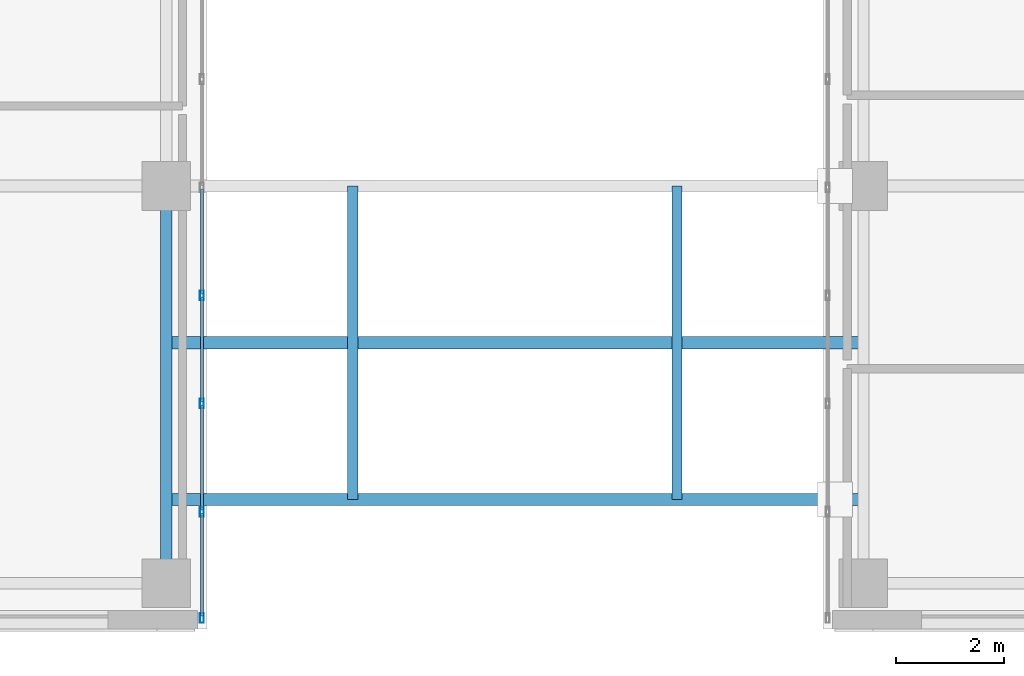
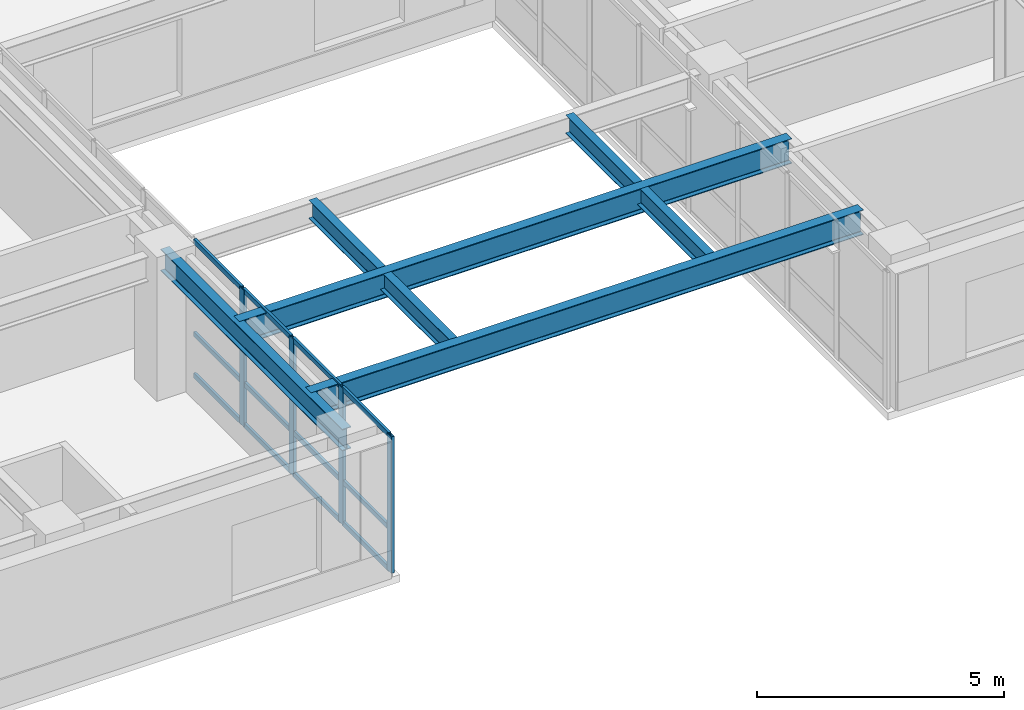
# One storey, part 2 of 24: 16 members, 5 beams, 1 element without a shape of its own.
"""IFC4 building model written with IfcOpenShell, lengths in metres."""

from ifc_helpers import new_model, si_unit, direction, frame, origin, origin_2d, place, context, subcontext, project, spatial, hollow_rectangle, i_section, extrude, source, transform, mapped, material, layer, layer_set, material_profile, profile_set, type_object, type_shapes, element, aggregate, save


model = new_model("IFC4")

# Units and contexts
model_context = context("Model", 3, precision=1e-05, world=origin(), true_north=direction((0.0, 1.0)))
body_context = subcontext(model_context, "Body", "Model", "MODEL_VIEW")
ifc_project = project(units=[si_unit("LENGTHUNIT", "METRE"), si_unit("AREAUNIT", "SQUARE_METRE"), si_unit("VOLUMEUNIT", "CUBIC_METRE"), si_unit("PLANEANGLEUNIT", "RADIAN"), si_unit("MASSUNIT", "GRAM", prefix="KILO")], contexts=[model_context])

# Site, building, storey
site_placement = place(None, origin())
site = spatial("IfcSite", under=ifc_project, at=site_placement, CompositionType="ELEMENT")
building_placement = place(site_placement, origin())
building = spatial("IfcBuilding", under=site, at=building_placement, Name="Tolvann Quenvar Hotel", CompositionType="ELEMENT")
storey_placement = place(building_placement, frame((0.0, 0.0, 118.64990234375)))
storey = spatial("IfcBuildingStorey", under=building, at=storey_placement, Name="L30", CompositionType="ELEMENT", Elevation=118.64990234375)

# Beams
ifc_material_1 = material(Name="Steel Grade 350", Category="steel")
ifc_material_profile_1 = material_profile(ifc_material_1, i_section(OverallWidth=0.22900390625, OverallDepth=0.612060546875, WebThickness=0.011962890625, FlangeThickness=0.01953125, FilletRadius=0.013916015625, at=origin_2d()), Name="610UB125")
ifc_profile_set_1 = profile_set([ifc_material_profile_1], Name="Steel Grade 350")
beam_type_1 = type_object("IfcBeamType", Name="BM_GIRD_610UB125", PredefinedType="BEAM", material=ifc_profile_set_1)
shared_shape_1 = source(origin(), body_context, "Body", "SweptSolid", [
    extrude(i_section(OverallWidth=0.22900390625, OverallDepth=0.612060546875, WebThickness=0.011962890625, FlangeThickness=0.01953125, FilletRadius=0.013916015625, at=origin_2d()), origin(), (0.0, 0.0, 1.0), 12.89990234375),
])
type_shapes(beam_type_1, [shared_shape_1])
for number, where, z_axis, x_axis, name in (
    (1, (22.050048828125, 2.39990234375, 3.064208984375), (1.0, 0.0, 0.0), (0.0, 1.0, 0.0), "Skybridge Longitudinal Support Girder (L31-S)"),
    (2, (22.050048828125, 5.300048828125, 3.064208984375), (1.0, 0.0, 0.0), (0.0, 1.0, 0.0), "Skybridge Central Support Girder (L31-M)"),
):
    element("IfcBeam", number, at=place(storey_placement, frame(where, z_axis=z_axis, x_axis=x_axis)), inside=storey, type_object=beam_type_1, Name=name, PredefinedType="BEAM", context=body_context, shape_type="MappedRepresentation", body=[
        mapped(shared_shape_1, transform((0.0, 0.0, 0.0), x_axis=(1.0, 0.0, 0.0), y_axis=(0.0, 1.0, 0.0), z_axis=(0.0, 0.0, 1.0), scale=1.0)),
    ])
ifc_material_profile_2 = material_profile(ifc_material_1, i_section(OverallWidth=0.208984375, OverallDepth=0.532958984375, WebThickness=0.01025390625, FlangeThickness=0.015625, FilletRadius=0.013916015625, at=origin_2d()), Name="530UB92")
ifc_profile_set_2 = profile_set([ifc_material_profile_2], Name="Steel Grade 350")
beam_type_2 = type_object("IfcBeamType", Name="BM_GIRD_530UB92", PredefinedType="BEAM", material=ifc_profile_set_2)
shared_shape_2 = source(origin(), body_context, "Body", "SweptSolid", [
    extrude(i_section(OverallWidth=0.208984375, OverallDepth=0.532958984375, WebThickness=0.01025390625, FlangeThickness=0.015625, FilletRadius=0.013916015625, at=origin_2d()), origin(), (0.0, 0.0, 1.0), 7.349853515625),
])
type_shapes(beam_type_2, [shared_shape_2])
beam_placement = place(storey_placement, frame((22.050048828125, 0.85009765625, 3.103515625), z_axis=(0.0, 1.0, 0.0), x_axis=(-1.0, 0.0, 0.0)))
element("IfcBeam", 3, at=beam_placement, inside=storey, type_object=beam_type_2, Name="BM-L30-NS-E2-E3", PredefinedType="BEAM", context=body_context, shape_type="MappedRepresentation", body=[
    mapped(shared_shape_2, transform((0.0, 0.0, 0.0), x_axis=(1.0, 0.0, 0.0), y_axis=(0.0, 1.0, 0.0), z_axis=(0.0, 0.0, 1.0), scale=1.0)),
])
ifc_material_profile_3 = material_profile(ifc_material_1, i_section(OverallWidth=0.18994140625, OverallDepth=0.4541015625, WebThickness=0.008544921875, FlangeThickness=0.0126953125, FilletRadius=0.011474609375, at=origin_2d()), Name="460UB67")
ifc_profile_set_3 = profile_set([ifc_material_profile_3], Name="Steel Grade 350")
beam_type_3 = type_object("IfcBeamType", Name="BM_JOIST_460UB67", PredefinedType="JOIST", material=ifc_profile_set_3)
shared_shape_3 = source(origin(), body_context, "Body", "SweptSolid", [
    extrude(i_section(OverallWidth=0.18994140625, OverallDepth=0.4541015625, WebThickness=0.008544921875, FlangeThickness=0.0126953125, FilletRadius=0.011474609375, at=origin_2d()), origin(), (0.0, 0.0, 1.0), 5.800048828125),
])
type_shapes(beam_type_3, [shared_shape_3])
for number, where, z_axis, x_axis, name in (
    (4, (25.5, 2.39990234375, 3.14306640625), (0.0, 1.0, 0.0), (-1.0, 0.0, 0.0), "Skybridge Transverse Diaphragm Beam W (L31)"),
    (5, (31.5, 2.39990234375, 3.14306640625), (0.0, 1.0, 0.0), (-1.0, 0.0, 0.0), "Skybridge Transverse Diaphragm Beam E (L31)"),
):
    element("IfcBeam", number, at=place(storey_placement, frame(where, z_axis=z_axis, x_axis=x_axis)), inside=storey, type_object=beam_type_3, Name=name, PredefinedType="JOIST", context=body_context, shape_type="MappedRepresentation", body=[
        mapped(shared_shape_3, transform((0.0, 0.0, 0.0), x_axis=(1.0, 0.0, 0.0), y_axis=(0.0, 1.0, 0.0), z_axis=(0.0, 0.0, 1.0), scale=1.0)),
    ])

# Curtain wall, members
ifc_material_2 = material(Name="Thermally broken anodised architectural aluminium 6063-T6 and laminated low-E glass", Category="aluminium")
ifc_layer = layer(ifc_material_2, 0.179931640625)
ifc_layer_set = layer_set([ifc_layer], Name="Thermally broken anodised architectural aluminium 6063-T6 and laminated low-E glass")
curtain_wall_type = type_object("IfcCurtainWallType", Name="CW_SYS_SLOT_03", PredefinedType="USERDEFINED", material=ifc_layer_set)
curtain_wall_placement = place(storey_placement, origin())
curtain_wall = element("IfcCurtainWall", 6, at=curtain_wall_placement, inside=storey, type_object=curtain_wall_type, Name="Curtain Wall CW-SLOT-03 (CWR-L30-E05)", ObjectType="UNITISED CURTAIN WALL", PredefinedType="USERDEFINED")
ifc_material_3 = material(Name="Anodised architectural aluminium 6063-T6 framing", Category="aluminium")
ifc_material_profile_4 = material_profile(ifc_material_3, hollow_rectangle(XDim=0.070068359375, YDim=0.179931640625, WallThickness=0.00390625, at=origin_2d()), Name="180x70x4RHS")
ifc_profile_set_4 = profile_set([ifc_material_profile_4], Name="Anodised architectural aluminium 6063-T6 framing")
member_type_1 = type_object("IfcMemberType", Name="CW_MULL_180x70", PredefinedType="MULLION", material=ifc_profile_set_4)
shared_shape_4 = source(origin(), body_context, "Body", "SweptSolid", [
    extrude(hollow_rectangle(XDim=0.070068359375, YDim=0.179931640625, WallThickness=0.00390625, at=origin_2d()), origin(), (0.0, 0.0, 1.0), 3.3701171875),
])
type_shapes(member_type_1, [shared_shape_4])
member_1_placement = place(storey_placement, frame((22.7099609375, 0.2099609375, 0.0), z_axis=(0.0, 0.0, 1.0), x_axis=(-1.0, 0.0, 0.0)))
member_1 = element("IfcMember", 7, at=member_1_placement, type_object=member_type_1, Name="CW-SLOT-03 mullion 1", PredefinedType="MULLION", context=body_context, shape_type="MappedRepresentation", body=[
    mapped(shared_shape_4, transform((0.0, 0.0, 0.0), x_axis=(1.0, 0.0, 0.0), y_axis=(0.0, 1.0, 0.0), z_axis=(0.0, 0.0, 1.0), scale=1.0)),
])
member_2_placement = place(storey_placement, frame((22.7099609375, 2.175048828125, 0.0), z_axis=(0.0, 0.0, 1.0), x_axis=(-1.0, 0.0, 0.0)))
member_2 = element("IfcMember", 8, at=member_2_placement, type_object=member_type_1, Name="CW-SLOT-03 mullion 2", PredefinedType="MULLION", context=body_context, shape_type="MappedRepresentation", body=[
    mapped(shared_shape_4, transform((0.0, 0.0, 0.0), x_axis=(1.0, 0.0, 0.0), y_axis=(0.0, 1.0, 0.0), z_axis=(0.0, 0.0, 1.0), scale=1.0)),
])
member_3_placement = place(storey_placement, frame((22.7099609375, 4.175048828125, 0.0), z_axis=(0.0, 0.0, 1.0), x_axis=(-1.0, 0.0, 0.0)))
member_3 = element("IfcMember", 9, at=member_3_placement, type_object=member_type_1, Name="CW-SLOT-03 mullion 3", PredefinedType="MULLION", context=body_context, shape_type="MappedRepresentation", body=[
    mapped(shared_shape_4, transform((0.0, 0.0, 0.0), x_axis=(1.0, 0.0, 0.0), y_axis=(0.0, 1.0, 0.0), z_axis=(0.0, 0.0, 1.0), scale=1.0)),
])
member_4_placement = place(storey_placement, frame((22.7099609375, 6.175048828125, 0.0), z_axis=(0.0, 0.0, 1.0), x_axis=(-1.0, 0.0, 0.0)))
member_4 = element("IfcMember", 10, at=member_4_placement, type_object=member_type_1, Name="CW-SLOT-03 mullion 4", PredefinedType="MULLION", context=body_context, shape_type="MappedRepresentation", body=[
    mapped(shared_shape_4, transform((0.0, 0.0, 0.0), x_axis=(1.0, 0.0, 0.0), y_axis=(0.0, 1.0, 0.0), z_axis=(0.0, 0.0, 1.0), scale=1.0)),
])
ifc_material_profile_5 = material_profile(ifc_material_3, hollow_rectangle(XDim=0.06005859375, YDim=0.1201171875, WallThickness=0.00341796875, at=origin_2d()), Name="120x60x3.5RHS")
ifc_profile_set_5 = profile_set([ifc_material_profile_5], Name="Anodised architectural aluminium 6063-T6 framing")
member_type_2 = type_object("IfcMemberType", Name="CW_TRAN_120x60", PredefinedType="USERDEFINED", material=ifc_profile_set_5)
shared_shape_5 = source(origin(), body_context, "Body", "SweptSolid", [
    extrude(hollow_rectangle(XDim=0.06005859375, YDim=0.1201171875, WallThickness=0.00341796875, at=origin_2d()), origin(), (0.0, 0.0, 1.0), 1.894775390625),
])
member_5_placement = place(storey_placement, frame((22.7099609375, 0.2451171875, 0.030029296875), z_axis=(0.0, 1.0, 0.0), x_axis=(-1.0, 0.0, 0.0)))
member_5 = element("IfcMember", 11, at=member_5_placement, type_object=member_type_2, Name="CW-SLOT-03 transom 1.1", ObjectType="TRANSOM", PredefinedType="USERDEFINED", context=body_context, shape_type="MappedRepresentation", body=[
    mapped(shared_shape_5, transform((0.0, 0.0, 0.0), x_axis=(1.0, 0.0, 0.0), y_axis=(0.0, 1.0, 0.0), z_axis=(0.0, 0.0, 1.0), scale=1.0)),
])
member_6_placement = place(storey_placement, frame((22.7099609375, 0.2451171875, 1.050048828125), z_axis=(0.0, 1.0, 0.0), x_axis=(-1.0, 0.0, 0.0)))
member_6 = element("IfcMember", 12, at=member_6_placement, type_object=member_type_2, Name="CW-SLOT-03 transom 1.2", ObjectType="TRANSOM", PredefinedType="USERDEFINED", context=body_context, shape_type="MappedRepresentation", body=[
    mapped(shared_shape_5, transform((0.0, 0.0, 0.0), x_axis=(1.0, 0.0, 0.0), y_axis=(0.0, 1.0, 0.0), z_axis=(0.0, 0.0, 1.0), scale=1.0)),
])
member_7_placement = place(storey_placement, frame((22.7099609375, 0.2451171875, 3.340087890625), z_axis=(0.0, 1.0, 0.0), x_axis=(-1.0, 0.0, 0.0)))
member_7 = element("IfcMember", 13, at=member_7_placement, type_object=member_type_2, Name="CW-SLOT-03 transom 1.3", ObjectType="TRANSOM", PredefinedType="USERDEFINED", context=body_context, shape_type="MappedRepresentation", body=[
    mapped(shared_shape_5, transform((0.0, 0.0, 0.0), x_axis=(1.0, 0.0, 0.0), y_axis=(0.0, 1.0, 0.0), z_axis=(0.0, 0.0, 1.0), scale=1.0)),
])
shared_shape_6 = source(origin(), body_context, "Body", "SweptSolid", [
    extrude(hollow_rectangle(XDim=0.06005859375, YDim=0.1201171875, WallThickness=0.00341796875, at=origin_2d()), origin(), (0.0, 0.0, 1.0), 1.929931640625),
])
type_shapes(member_type_2, [shared_shape_5, shared_shape_6])
member_8_placement = place(storey_placement, frame((22.7099609375, 2.2099609375, 0.030029296875), z_axis=(0.0, 1.0, 0.0), x_axis=(-1.0, 0.0, 0.0)))
member_8 = element("IfcMember", 14, at=member_8_placement, type_object=member_type_2, Name="CW-SLOT-03 transom 2.1", ObjectType="TRANSOM", PredefinedType="USERDEFINED", context=body_context, shape_type="MappedRepresentation", body=[
    mapped(shared_shape_6, transform((0.0, 0.0, 0.0), x_axis=(1.0, 0.0, 0.0), y_axis=(0.0, 1.0, 0.0), z_axis=(0.0, 0.0, 1.0), scale=1.0)),
])
member_9_placement = place(storey_placement, frame((22.7099609375, 2.2099609375, 1.050048828125), z_axis=(0.0, 1.0, 0.0), x_axis=(-1.0, 0.0, 0.0)))
member_9 = element("IfcMember", 15, at=member_9_placement, type_object=member_type_2, Name="CW-SLOT-03 transom 2.2", ObjectType="TRANSOM", PredefinedType="USERDEFINED", context=body_context, shape_type="MappedRepresentation", body=[
    mapped(shared_shape_6, transform((0.0, 0.0, 0.0), x_axis=(1.0, 0.0, 0.0), y_axis=(0.0, 1.0, 0.0), z_axis=(0.0, 0.0, 1.0), scale=1.0)),
])
member_10_placement = place(storey_placement, frame((22.7099609375, 2.2099609375, 3.340087890625), z_axis=(0.0, 1.0, 0.0), x_axis=(-1.0, 0.0, 0.0)))
member_10 = element("IfcMember", 16, at=member_10_placement, type_object=member_type_2, Name="CW-SLOT-03 transom 2.3", ObjectType="TRANSOM", PredefinedType="USERDEFINED", context=body_context, shape_type="MappedRepresentation", body=[
    mapped(shared_shape_6, transform((0.0, 0.0, 0.0), x_axis=(1.0, 0.0, 0.0), y_axis=(0.0, 1.0, 0.0), z_axis=(0.0, 0.0, 1.0), scale=1.0)),
])
member_11_placement = place(storey_placement, frame((22.7099609375, 4.2099609375, 0.030029296875), z_axis=(0.0, 1.0, 0.0), x_axis=(-1.0, 0.0, 0.0)))
member_11 = element("IfcMember", 17, at=member_11_placement, type_object=member_type_2, Name="CW-SLOT-03 transom 3.1", ObjectType="TRANSOM", PredefinedType="USERDEFINED", context=body_context, shape_type="MappedRepresentation", body=[
    mapped(shared_shape_6, transform((0.0, 0.0, 0.0), x_axis=(1.0, 0.0, 0.0), y_axis=(0.0, 1.0, 0.0), z_axis=(0.0, 0.0, 1.0), scale=1.0)),
])
member_12_placement = place(storey_placement, frame((22.7099609375, 4.2099609375, 1.050048828125), z_axis=(0.0, 1.0, 0.0), x_axis=(-1.0, 0.0, 0.0)))
member_12 = element("IfcMember", 18, at=member_12_placement, type_object=member_type_2, Name="CW-SLOT-03 transom 3.2", ObjectType="TRANSOM", PredefinedType="USERDEFINED", context=body_context, shape_type="MappedRepresentation", body=[
    mapped(shared_shape_6, transform((0.0, 0.0, 0.0), x_axis=(1.0, 0.0, 0.0), y_axis=(0.0, 1.0, 0.0), z_axis=(0.0, 0.0, 1.0), scale=1.0)),
])
member_13_placement = place(storey_placement, frame((22.7099609375, 4.2099609375, 3.340087890625), z_axis=(0.0, 1.0, 0.0), x_axis=(-1.0, 0.0, 0.0)))
member_13 = element("IfcMember", 19, at=member_13_placement, type_object=member_type_2, Name="CW-SLOT-03 transom 3.3", ObjectType="TRANSOM", PredefinedType="USERDEFINED", context=body_context, shape_type="MappedRepresentation", body=[
    mapped(shared_shape_6, transform((0.0, 0.0, 0.0), x_axis=(1.0, 0.0, 0.0), y_axis=(0.0, 1.0, 0.0), z_axis=(0.0, 0.0, 1.0), scale=1.0)),
])
member_14_placement = place(storey_placement, frame((22.7099609375, 6.2099609375, 0.030029296875), z_axis=(0.0, 1.0, 0.0), x_axis=(-1.0, 0.0, 0.0)))
member_14 = element("IfcMember", 20, at=member_14_placement, type_object=member_type_2, Name="CW-SLOT-03 transom 4.1", ObjectType="TRANSOM", PredefinedType="USERDEFINED", context=body_context, shape_type="MappedRepresentation", body=[
    mapped(shared_shape_6, transform((0.0, 0.0, 0.0), x_axis=(1.0, 0.0, 0.0), y_axis=(0.0, 1.0, 0.0), z_axis=(0.0, 0.0, 1.0), scale=1.0)),
])
member_15_placement = place(storey_placement, frame((22.7099609375, 6.2099609375, 1.050048828125), z_axis=(0.0, 1.0, 0.0), x_axis=(-1.0, 0.0, 0.0)))
member_15 = element("IfcMember", 21, at=member_15_placement, type_object=member_type_2, Name="CW-SLOT-03 transom 4.2", ObjectType="TRANSOM", PredefinedType="USERDEFINED", context=body_context, shape_type="MappedRepresentation", body=[
    mapped(shared_shape_6, transform((0.0, 0.0, 0.0), x_axis=(1.0, 0.0, 0.0), y_axis=(0.0, 1.0, 0.0), z_axis=(0.0, 0.0, 1.0), scale=1.0)),
])
member_16_placement = place(storey_placement, frame((22.7099609375, 6.2099609375, 3.340087890625), z_axis=(0.0, 1.0, 0.0), x_axis=(-1.0, 0.0, 0.0)))
member_16 = element("IfcMember", 22, at=member_16_placement, type_object=member_type_2, Name="CW-SLOT-03 transom 4.3", ObjectType="TRANSOM", PredefinedType="USERDEFINED", context=body_context, shape_type="MappedRepresentation", body=[
    mapped(shared_shape_6, transform((0.0, 0.0, 0.0), x_axis=(1.0, 0.0, 0.0), y_axis=(0.0, 1.0, 0.0), z_axis=(0.0, 0.0, 1.0), scale=1.0)),
])
aggregate(curtain_wall, [member_1, member_2, member_3, member_4, member_5, member_6, member_7, member_8, member_9, member_10, member_11, member_12, member_13, member_14, member_15, member_16])

save(model, "model.ifc")
